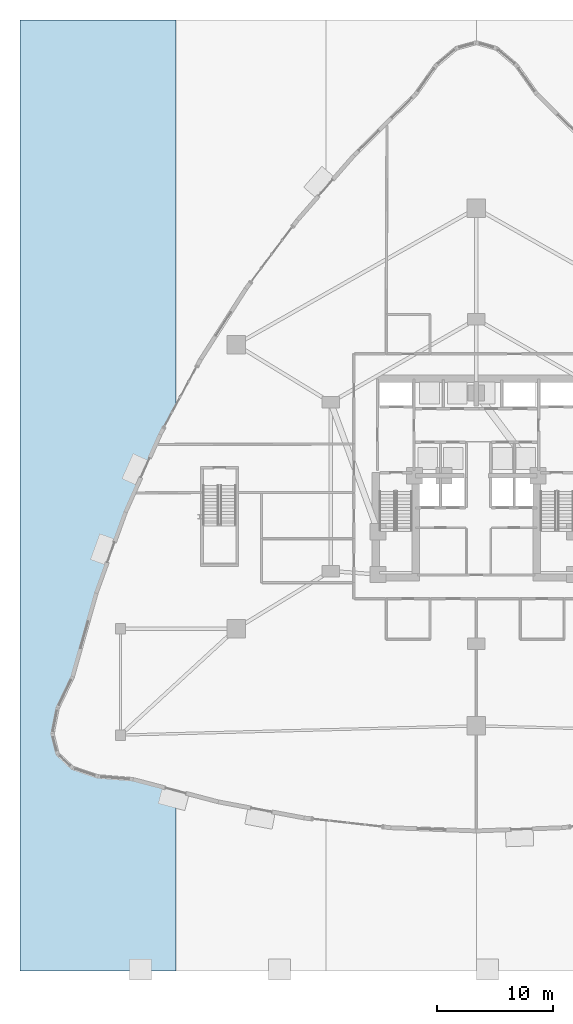
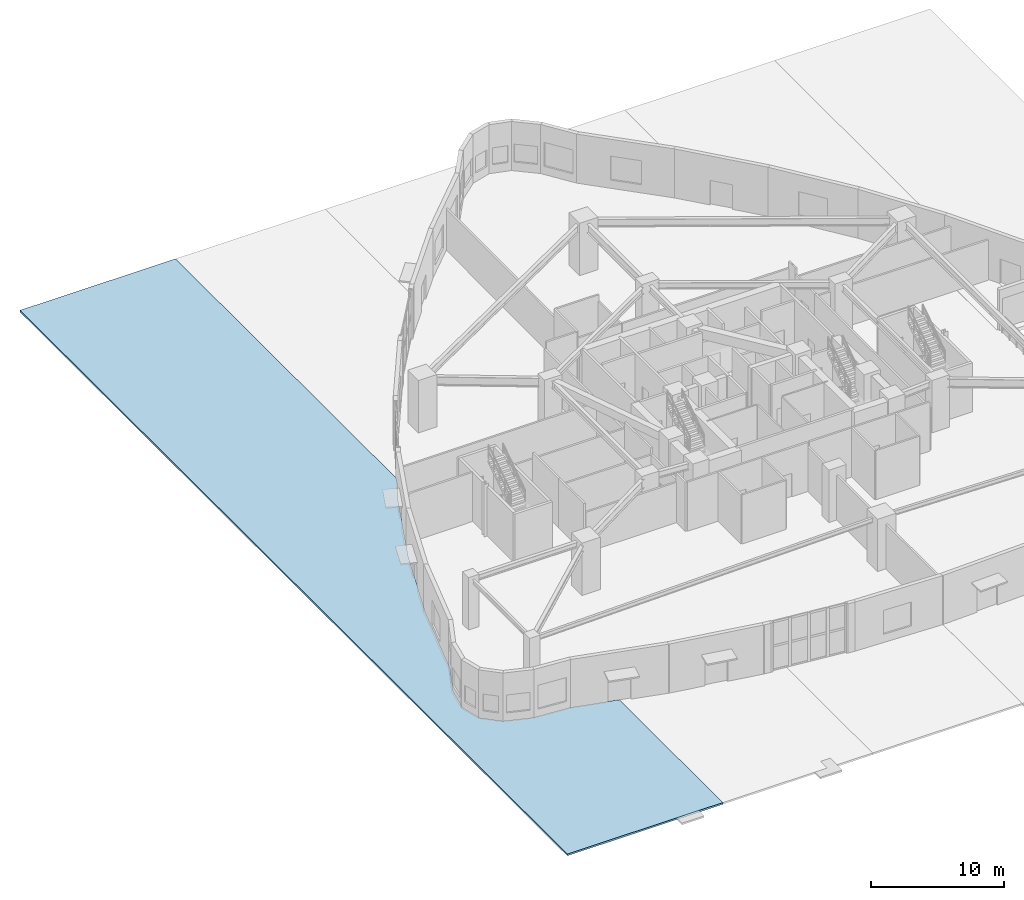
# One storey, part 16 of 32: 1 slab.
"""IFC4 building model written with IfcOpenShell, lengths in metres."""

from ifc_helpers import new_model, si_unit, direction, frame, origin, place, context, subcontext, project, spatial, polyline, outline, extrude, material, layer, layer_set, type_object, element, save


model = new_model("IFC4")

# Units and contexts
model_context = context("Model", 3, precision=1e-05, world=origin(), true_north=direction((0.0, 1.0)))
body_context = subcontext(model_context, "Body", "Model", "MODEL_VIEW")
ifc_project = project(units=[si_unit("LENGTHUNIT", "METRE"), si_unit("AREAUNIT", "SQUARE_METRE"), si_unit("VOLUMEUNIT", "CUBIC_METRE"), si_unit("PLANEANGLEUNIT", "RADIAN"), si_unit("MASSUNIT", "GRAM", prefix="KILO")], contexts=[model_context])

# Site, building, storey
site_placement = place(None, origin())
site = spatial("IfcSite", under=ifc_project, at=site_placement, CompositionType="ELEMENT")
building_placement = place(site_placement, origin())
building = spatial("IfcBuilding", under=site, at=building_placement, Name="Miruveldt Soraemaru", CompositionType="ELEMENT")
storey_placement = place(building_placement, origin())
storey = spatial("IfcBuildingStorey", under=building, at=storey_placement, Name="L01", CompositionType="ELEMENT", Elevation=0.0)

# Slab
ifc_material = material(Name="Precast concrete C45/55 (45 MPa)", Category="concrete")
ifc_layer = layer(ifc_material, 0.159912109375, Name="Precast concrete C45/55 (45 MPa)", Category="concrete")
ifc_layer_set = layer_set([ifc_layer], Name="Precast concrete C45/55 (45 MPa)")
slab_type = type_object("IfcSlabType", Name="SLAB-PAVE-160", PredefinedType="USERDEFINED", material=ifc_layer_set)
slab_placement = place(storey_placement, frame((0.0, 0.0, -0.159912109375)))
element("IfcSlab", 1, at=slab_placement, inside=storey, type_object=slab_type, Name="L01 Waterfront Public Plaza PAVING 1", ObjectType="PAVING", PredefinedType="USERDEFINED", context=body_context, shape_type="SweptSolid", body=[
    extrude(outline(polyline([(18.0, 1.199951171875), (4.5, 1.199951171875), (4.5, 83.5), (18.0, 83.5), (18.0, 50.186279296875), (16.633544921875, 47.654296875), (13.6259765625, 40.92626953125), (11.091796875, 33.91943359375), (9.031005859375, 26.634521484375), (7.725341796875, 23.926025390625), (7.289306640625, 21.706787109375), (7.724609375, 19.978515625), (9.033447265625, 18.741943359375), (11.213623046875, 18.000732421875), (14.262451171875, 17.754150390625), (18.0, 16.77294921875), (18.0, 1.199951171875)])), origin(), (0.0, 0.0, 1.0), 0.159912109375),
])

save(model, "model.ifc")
